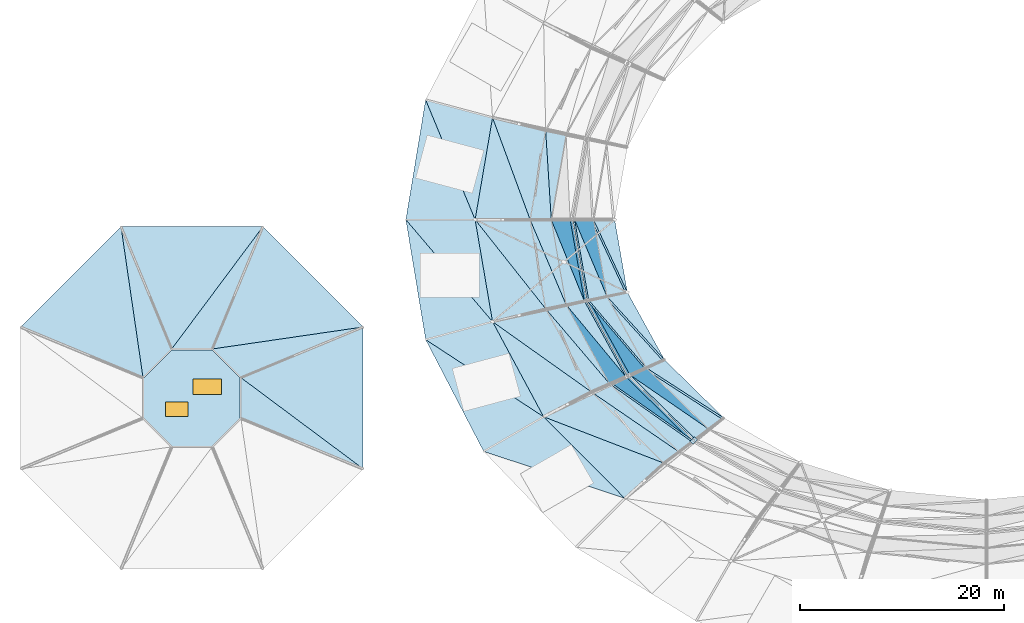
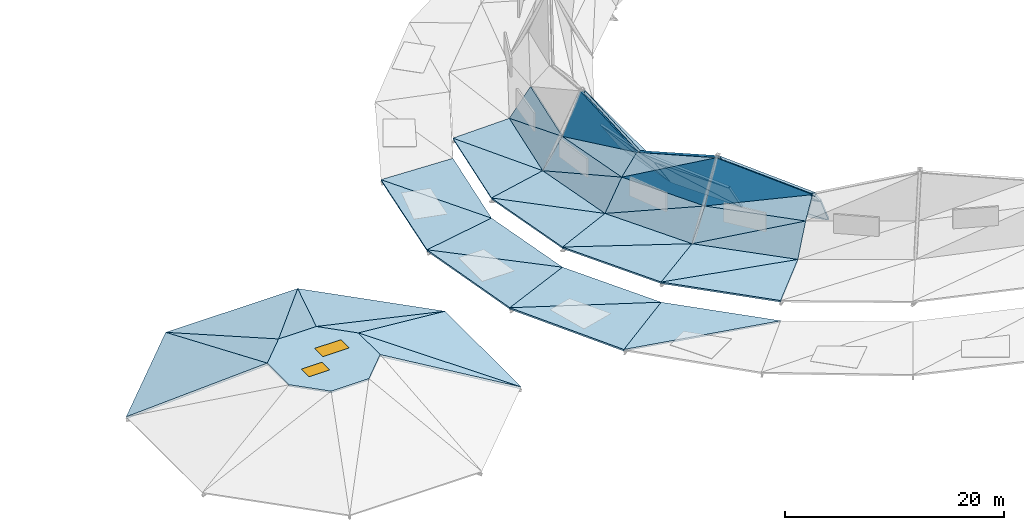
# One storey, part 27 of 36: 50 slabs, 2 windows, 1 plate, 2 openings.
"""IFC4 building model written with IfcOpenShell, lengths in metres."""

from ifc_helpers import new_model, si_unit, direction, frame, origin, origin_2d, place, context, subcontext, project, spatial, polyline, rectangle, outline, extrude, material, layer, layer_set, type_object, element, fill, save


model = new_model("IFC4")

# Units and contexts
model_context = context("Model", 3, precision=1e-05, world=origin(), true_north=direction((0.0, 1.0)))
body_context = subcontext(model_context, "Body", "Model", "MODEL_VIEW")
ifc_project = project(units=[si_unit("LENGTHUNIT", "METRE"), si_unit("AREAUNIT", "SQUARE_METRE"), si_unit("VOLUMEUNIT", "CUBIC_METRE"), si_unit("PLANEANGLEUNIT", "RADIAN"), si_unit("MASSUNIT", "GRAM", prefix="KILO")], contexts=[model_context])

# Site, building, storey
site_placement = place(None, origin())
site = spatial("IfcSite", under=ifc_project, at=site_placement, CompositionType="ELEMENT")
building_placement = place(site_placement, origin())
building = spatial("IfcBuilding", under=site, at=building_placement, Name="Kildeholm Park Wholesale Market", CompositionType="ELEMENT")
storey_placement = place(building_placement, frame((0.0, 0.0, 17.39990234375)))
storey = spatial("IfcBuildingStorey", under=building, at=storey_placement, Name="Roof", CompositionType="ELEMENT", Elevation=17.39990234375)

# Slabs
ifc_material_1 = material(Name="Concrete C35/45", Category="concrete")
ifc_layer_1 = layer(ifc_material_1, 0.219970703125)
ifc_layer_set_1 = layer_set([ifc_layer_1], Name="Concrete C35/45")
slab_type_1 = type_object("IfcSlabType", Name="Slab S-RF2 220 mm", PredefinedType="ROOF", material=ifc_layer_set_1)
slab_1_placement = place(storey_placement, frame((43.94189453125, 101.27587890625, -7.599853515625), z_axis=(-0.166671949768, 0.027484941918, 0.985629260487), x_axis=(-0.162706979486, -0.98667443406, 0.0)))
element("IfcSlab", 1, at=slab_1_placement, inside=storey, type_object=slab_type_1, Name="Outer white ceramic rim band 1 sector 12A SLB-0145", PredefinedType="ROOF", context=body_context, shape_type="SweptSolid", body=[
    extrude(outline(polyline([(0.0, 0.0), (11.934918449036942, 0.0), (10.828503043857994, 6.807259684794508), (0.0, 0.0)])), origin(), (0.0, 0.0, -1.0), 0.219970703125),
])
slab_2_placement = place(storey_placement, frame((43.94189453125, 101.27587890625, -7.599853515625), z_axis=(-0.165025307564, 0.028189376381, 0.985886406703), x_axis=(0.379827095461, -0.920678432207, 0.089903292609)))
element("IfcSlab", 2, at=slab_2_placement, inside=storey, type_object=slab_type_1, Name="Outer white ceramic rim band 1 sector 12B SLB-0146", PredefinedType="ROOF", context=body_context, shape_type="SweptSolid", body=[
    extrude(outline(polyline([(0.0, 0.0), (12.790436372034792, -7.216449660063518e-16), (4.218677320585707, 5.4566270859973205), (0.0, 0.0)])), origin(), (0.0, 0.0, -1.0), 0.219970703125),
])
slab_3_placement = place(storey_placement, frame((50.510986328125, 99.51611328125, -4.199951171875), z_axis=(-0.208189191671, 0.035562566549, 0.977441847033), x_axis=(-0.168379597692, -0.985722228156, 0.0)))
element("IfcSlab", 3, at=slab_3_placement, inside=storey, type_object=slab_type_1, Name="Upper white ceramic rim band 2 sector 12A SLB-0147", PredefinedType="ROOF", context=body_context, shape_type="SweptSolid", body=[
    extrude(outline(polyline([(0.0, 0.0), (10.161192468984085, 0.0), (9.251959084766586, 5.445647519862199), (0.0, 0.0)])), origin(), (0.0, 0.0, -1.0), 0.219970703125),
])
slab_4_placement = place(storey_placement, frame((50.510986328125, 99.51611328125, -4.199951171875), z_axis=(-0.206810284342, 0.036101761793, 0.977714768778), x_axis=(0.343618743042, -0.932978329057, 0.107133547219)))
element("IfcSlab", 4, at=slab_4_placement, inside=storey, type_object=slab_type_1, Name="Upper white ceramic rim band 2 sector 12B SLB-0148", PredefinedType="ROOF", context=body_context, shape_type="SweptSolid", body=[
    extrude(outline(polyline([(0.0, 0.0), (10.735633368217092, -6.106226635438361e-16), (3.0986352605393166, 4.531734463478261), (0.0, 0.0)])), origin(), (0.0, 0.0, -1.0), 0.219970703125),
])
slab_5_placement = place(storey_placement, frame((55.72705078125, 98.248046875, -3.0498046875), z_axis=(-0.822403469895, 0.143562561515, 0.550492800712), x_axis=(-0.171964181022, -0.985103202941, 0.0)))
element("IfcSlab", 5, at=slab_5_placement, inside=storey, type_object=slab_type_1, Name="Arched gable roof facet 12-LOA SLB-0149", PredefinedType="ROOF", context=body_context, shape_type="SweptSolid", body=[
    extrude(outline(polyline([(0.0, 0.0), (8.880335429709316, 1.1102230246251565e-16), (8.523518150776168, 3.7131113117509496), (0.0, 0.0)])), origin(), (0.0, 0.0, -1.0), 0.219970703125),
])
slab_6_placement = place(storey_placement, frame((55.72705078125, 98.248046875, -3.0498046875), z_axis=(-0.822403495211, 0.143562547796, 0.55049276647), x_axis=(0.058926637786, -0.940935510318, 0.333418680914)))
element("IfcSlab", 6, at=slab_6_placement, inside=storey, type_object=slab_type_1, Name="Arched gable roof facet 12-LOB SLB-0150", PredefinedType="ROOF", context=body_context, shape_type="SweptSolid", body=[
    extrude(outline(polyline([(0.0, 0.0), (9.297180071401415, -4.440892098500626e-16), (1.53457674077422, 3.3816328889327636), (0.0, 0.0)])), origin(), (0.0, 0.0, -1.0), 0.219970703125),
])
slab_7_placement = place(storey_placement, frame((42.0, 89.5, -7.599853515625), z_axis=(-0.16527314387, -0.027254272636, 0.985871184556), x_axis=(0.162706979486, -0.98667443406, 0.0)))
element("IfcSlab", 7, at=slab_7_placement, inside=storey, type_object=slab_type_1, Name="Outer white ceramic rim band 1 sector 13A SLB-0157", PredefinedType="ROOF", context=body_context, shape_type="SweptSolid", body=[
    extrude(outline(polyline([(0.0, 0.0), (11.934918449036942, 2.220446049250313e-16), (11.267439781145972, 6.864873612731286), (0.0, 0.0)])), origin(), (0.0, 0.0, -1.0), 0.219970703125),
])
slab_8_placement = place(storey_placement, frame((42.0, 89.5, -7.599853515625), z_axis=(-0.166667353474, -0.028469868209, 0.985602079893), x_axis=(0.645064804758, -0.759141409598, 0.087153415863)))
element("IfcSlab", 8, at=slab_8_placement, inside=storey, type_object=slab_type_1, Name="Outer white ceramic rim band 1 sector 13B SLB-0158", PredefinedType="ROOF", context=body_context, shape_type="SweptSolid", body=[
    extrude(outline(polyline([(0.0, 0.0), (13.194002006234692, 2.7755575615628914e-16), (4.486690086824522, 5.237609333449421), (0.0, 0.0)])), origin(), (0.0, 0.0, -1.0), 0.219970703125),
])
slab_9_placement = place(storey_placement, frame((48.800048828125, 89.5, -4.199951171875), z_axis=(-0.206988876477, -0.035357530501, 0.977704173077), x_axis=(0.168379597692, -0.985722228156, 0.0)))
element("IfcSlab", 9, at=slab_9_placement, inside=storey, type_object=slab_type_1, Name="Upper white ceramic rim band 2 sector 13A SLB-0159", PredefinedType="ROOF", context=body_context, shape_type="SweptSolid", body=[
    extrude(outline(polyline([(0.0, 0.0), (10.161192468984085, 0.0), (9.789510059718923, 5.477226479887153), (0.0, 0.0)])), origin(), (0.0, 0.0, -1.0), 0.219970703125),
])
slab_10_placement = place(storey_placement, frame((48.800048828125, 89.5, -4.199951171875), z_axis=(-0.208183354395, -0.036341451265, 0.977414441203), x_axis=(0.61751202142, -0.779850236194, 0.102530544282)))
element("IfcSlab", 10, at=slab_10_placement, inside=storey, type_object=slab_type_1, Name="Upper white ceramic rim band 2 sector 13B SLB-0160", PredefinedType="ROOF", context=body_context, shape_type="SweptSolid", body=[
    extrude(outline(polyline([(0.0, 0.0), (11.217598545201865, -5.551115123125783e-17), (3.452429756806185, 4.308423265172087), (0.0, 0.0)])), origin(), (0.0, 0.0, -1.0), 0.219970703125),
])
slab_11_placement = place(storey_placement, frame((54.199951171875, 89.5, -3.0498046875), z_axis=(-0.822403491991, -0.143562565372, 0.550492766696), x_axis=(0.171964181022, -0.985103202941, 0.0)))
element("IfcSlab", 11, at=slab_11_placement, inside=storey, type_object=slab_type_1, Name="Arched gable roof facet 13-LOA SLB-0161", PredefinedType="ROOF", context=body_context, shape_type="SweptSolid", body=[
    extrude(outline(polyline([(0.0, 0.0), (8.880335429709316, -1.1102230246251565e-16), (8.824015839506544, 3.713111211988724), (0.0, 0.0)])), origin(), (0.0, 0.0, -1.0), 0.219970703125),
])
slab_12_placement = place(storey_placement, frame((54.199951171875, 89.5, -3.0498046875), z_axis=(-0.822403472037, -0.14356254375, 0.550492802145), x_axis=(0.368834159579, -0.871272838416, 0.323797782215)))
element("IfcSlab", 12, at=slab_12_placement, inside=storey, type_object=slab_type_1, Name="Arched gable roof facet 13-LOB SLB-0162", PredefinedType="ROOF", context=body_context, shape_type="SweptSolid", body=[
    extrude(outline(polyline([(0.0, 0.0), (9.573424173641252, -4.440892098500626e-16), (1.7690385651948821, 3.2840549232391565), (0.0, 0.0)])), origin(), (0.0, 0.0, -1.0), 0.219970703125),
])
slab_13_placement = place(storey_placement, frame((56.27490234375, 89.5, 0.050048828125), z_axis=(-0.713825715212, -0.12460870966, 0.689148400404), x_axis=(0.171964159938, -0.985103206622, 0.0)))
element("IfcSlab", 13, at=slab_13_placement, inside=storey, type_object=slab_type_1, Name="Arched gable roof facet 13-UOA SLB-0163", PredefinedType="ROOF", context=body_context, shape_type="SweptSolid", body=[
    extrude(outline(polyline([(0.0, 0.0), (8.467198560573395, -1.1102230246251565e-16), (8.41626215504479, 2.648208295654954), (0.0, 0.0)])), origin(), (0.0, 0.0, -1.0), 0.219970703125),
])
slab_14_placement = place(storey_placement, frame((56.27490234375, 89.5, 0.050048828125), z_axis=(-0.887586127314, -0.271569952327, 0.37207610457), x_axis=(0.367799306785, -0.904113342605, 0.21749191629)))
element("IfcSlab", 14, at=slab_14_placement, inside=storey, type_object=slab_type_1, Name="Arched gable roof facet 13-UOB SLB-0164", PredefinedType="ROOF", context=body_context, shape_type="SweptSolid", body=[
    extrude(outline(polyline([(0.0, 0.0), (8.823064991238299, 2.220446049250313e-16), (1.6446728798146282, 4.507445040057246), (0.0, 0.0)])), origin(), (0.0, 0.0, -1.0), 0.219970703125),
])
slab_15_placement = place(storey_placement, frame((58.570068359375, 89.5, 4.47509765625), z_axis=(0.736923773726, -0.083994905801, 0.670737062877), x_axis=(0.164661849727, -0.940056245621, -0.298631428877)))
element("IfcSlab", 15, at=slab_15_placement, inside=storey, type_object=slab_type_1, Name="Arched gable roof facet 13-UIA SLB-0165", PredefinedType="ROOF", context=body_context, shape_type="SweptSolid", body=[
    extrude(outline(polyline([(0.0, 0.0), (8.391961706941895, 0.0), (8.917255299751853, 2.595414230313864), (0.0, 0.0)])), origin(), (0.0, 0.0, -1.0), 0.219970703125),
])
slab_16_placement = place(storey_placement, frame((58.570068359375, 89.5, 4.47509765625), z_axis=(0.910497410658, 0.15910515391, 0.381680514548), x_axis=(0.341318556742, -0.810237257849, -0.476463250227)))
element("IfcSlab", 16, at=slab_16_placement, inside=storey, type_object=slab_type_1, Name="Arched gable roof facet 13-UIB SLB-0166", PredefinedType="ROOF", context=body_context, shape_type="SweptSolid", body=[
    extrude(outline(polyline([(0.0, 0.0), (9.28728254700309, -4.440892098500626e-16), (2.741512403441939, 3.937781026480321), (0.0, 0.0)])), origin(), (0.0, 0.0, -1.0), 0.219970703125),
])
slab_17_placement = place(storey_placement, frame((60.425048828125, 89.5, 0.050048828125), z_axis=(0.833860831999, 0.145713271077, 0.532394360873), x_axis=(0.172136895087, -0.985073037571, 0.0)))
element("IfcSlab", 17, at=slab_17_placement, inside=storey, type_object=slab_type_1, Name="Arched gable roof facet 13-LIA SLB-0167", PredefinedType="ROOF", context=body_context, shape_type="SweptSolid", body=[
    extrude(outline(polyline([(0.0, 0.0), (7.638928340077879, -2.220446049250313e-16), (7.582967129442969, 3.839354541248903), (0.0, 0.0)])), origin(), (0.0, 0.0, -1.0), 0.219970703125),
])
slab_18_placement = place(storey_placement, frame((60.425048828125, 89.5, 0.050048828125), z_axis=(0.833868142497, 0.145723141349, 0.532380209065), x_axis=(0.390474192702, -0.837448513185, -0.382374021866)))
element("IfcSlab", 18, at=slab_18_placement, inside=storey, type_object=slab_type_1, Name="Arched gable roof facet 13-LIB SLB-0168", PredefinedType="ROOF", context=body_context, shape_type="SweptSolid", body=[
    extrude(outline(polyline([(0.0, 0.0), (8.499531385883644, 0.0), (2.0529304548001828, 3.263954490096232), (0.0, 0.0)])), origin(), (0.0, 0.0, -1.0), 0.219970703125),
])
slab_19_placement = place(storey_placement, frame((43.94189453125, 77.72412109375, -7.599853515625), z_axis=(-0.148141549145, -0.076878707829, 0.98597350152), x_axis=(0.460622041592, -0.887596380569, 0.0)))
element("IfcSlab", 19, at=slab_19_placement, inside=storey, type_object=slab_type_1, Name="Outer white ceramic rim band 1 sector 14A SLB-0169", PredefinedType="ROOF", context=body_context, shape_type="SweptSolid", body=[
    extrude(outline(polyline([(0.0, 0.0), (12.36386417744238, 0.0), (12.058687680719101, 6.889688707926563), (0.0, 0.0)])), origin(), (0.0, 0.0, -1.0), 0.219970703125),
])
slab_20_placement = place(storey_placement, frame((43.94189453125, 77.72412109375, -7.599853515625), z_axis=(-0.150765337382, -0.081002060974, 0.985245390328), x_axis=(0.834093305664, -0.545374108812, 0.082797577763)))
element("IfcSlab", 20, at=slab_20_placement, inside=storey, type_object=slab_type_1, Name="Outer white ceramic rim band 1 sector 14B SLB-0170", PredefinedType="ROOF", context=body_context, shape_type="SweptSolid", body=[
    extrude(outline(polyline([(0.0, 0.0), (13.888115749562916, 1.1379786002407855e-15), (4.614714011340161, 5.126054241266337), (0.0, 0.0)])), origin(), (0.0, 0.0, -1.0), 0.219970703125),
])
slab_21_placement = place(storey_placement, frame((50.510986328125, 79.48388671875, -4.199951171875), z_axis=(-0.187533000933, -0.100756313354, 0.977077038355), x_axis=(0.473287580572, -0.880907978211, 0.0)))
element("IfcSlab", 21, at=slab_21_placement, inside=storey, type_object=slab_type_1, Name="Upper white ceramic rim band 2 sector 14A SLB-0171", PredefinedType="ROOF", context=body_context, shape_type="SweptSolid", body=[
    extrude(outline(polyline([(0.0, 0.0), (10.595867679566283, 0.0), (10.65057582443242, 5.402639584274721), (0.0, 0.0)])), origin(), (0.0, 0.0, -1.0), 0.219970703125),
])
slab_22_placement = place(storey_placement, frame((50.510986328125, 79.48388671875, -4.199951171875), z_axis=(-0.189918860125, -0.104253452747, 0.976248966278), x_axis=(0.811464841113, -0.576411111504, 0.096307020368)))
element("IfcSlab", 22, at=slab_22_placement, inside=storey, type_object=slab_type_1, Name="Upper white ceramic rim band 2 sector 14B SLB-0172", PredefinedType="ROOF", context=body_context, shape_type="SweptSolid", body=[
    extrude(outline(polyline([(0.0, 0.0), (11.942498895522512, 3.608224830031759e-16), (3.6124925269011197, 4.1337701276701075), (0.0, 0.0)])), origin(), (0.0, 0.0, -1.0), 0.219970703125),
])
slab_23_placement = place(storey_placement, frame((55.72705078125, 80.751953125, -3.0498046875), z_axis=(-0.741572301252, -0.407076331526, 0.533253581635), x_axis=(0.481203038707, -0.876609169208, 0.0)))
element("IfcSlab", 23, at=slab_23_placement, inside=storey, type_object=slab_type_1, Name="Arched gable roof facet 14-LOA SLB-0173", PredefinedType="ROOF", context=body_context, shape_type="SweptSolid", body=[
    extrude(outline(polyline([(0.0, 0.0), (9.299304359450266, 0.0), (9.474310271452685, 3.664322427375304), (0.0, 0.0)])), origin(), (0.0, 0.0, -1.0), 0.219970703125),
])
slab_24_placement = place(storey_placement, frame((55.72705078125, 80.751953125, -3.0498046875), z_axis=(-0.741678401193, -0.407301055778, 0.532934329131), x_axis=(0.61742717677, -0.725026299791, 0.305156592583)))
element("IfcSlab", 24, at=slab_24_placement, inside=storey, type_object=slab_type_1, Name="Arched gable roof facet 14-LOB SLB-0174", PredefinedType="ROOF", context=body_context, shape_type="SweptSolid", body=[
    extrude(outline(polyline([(0.0, 0.0), (10.158238723889072, -4.440892098500626e-16), (1.88813395537198, 3.1977049481477087), (0.0, 0.0)])), origin(), (0.0, 0.0, -1.0), 0.219970703125),
])
slab_25_placement = place(storey_placement, frame((57.73095703125, 81.158935546875, 0.050048828125), z_axis=(-0.815245958771, -0.447701509431, 0.36733824353), x_axis=(0.481354223541, -0.87652616132, 0.0)))
element("IfcSlab", 25, at=slab_25_placement, inside=storey, type_object=slab_type_1, Name="Arched gable roof facet 14-UOA SLB-0175", PredefinedType="ROOF", context=body_context, shape_type="SweptSolid", body=[
    extrude(outline(polyline([(0.0, 0.0), (8.866789149272552, -2.220446049250313e-16), (9.021479592334513, 4.725383250547976), (0.0, 0.0)])), origin(), (0.0, 0.0, -1.0), 0.219970703125),
])
slab_26_placement = place(storey_placement, frame((57.73095703125, 81.158935546875, 0.050048828125), z_axis=(-0.707112353238, -0.157998232282, 0.689223242857), x_axis=(0.575799629285, -0.694416414568, 0.431556056722)))
element("IfcSlab", 26, at=slab_26_placement, inside=storey, type_object=slab_type_1, Name="Arched gable roof facet 14-UOB SLB-0176", PredefinedType="ROOF", context=body_context, shape_type="SweptSolid", body=[
    extrude(outline(polyline([(0.0, 0.0), (10.184121999439492, 0.0), (1.6054969275182156, 2.1066516822468455), (0.0, 0.0)])), origin(), (0.0, 0.0, -1.0), 0.219970703125),
])
slab_27_placement = place(storey_placement, frame((59.951904296875, 81.611083984375, 1.968994140625), z_axis=(0.759743439922, 0.540192723987, 0.361913976583), x_axis=(0.462525121936, -0.840188371056, 0.283114840164)))
element("IfcSlab", 27, at=slab_27_placement, inside=storey, type_object=slab_type_1, Name="Arched gable roof facet 14-UIA SLB-0177", PredefinedType="ROOF", context=body_context, shape_type="SweptSolid", body=[
    extrude(outline(polyline([(0.0, 0.0), (8.745829845295708, 0.0), (7.651609461909472, 4.599549733432193), (0.0, 0.0)])), origin(), (0.0, 0.0, -1.0), 0.219970703125),
])
slab_28_placement = place(storey_placement, frame((59.951904296875, 81.611083984375, 1.968994140625), z_axis=(0.648844886788, 0.356523570897, 0.672228574433), x_axis=(0.631869695958, -0.744674270346, -0.214943989017)))
element("IfcSlab", 28, at=slab_28_placement, inside=storey, type_object=slab_type_1, Name="Arched gable roof facet 14-UIB SLB-0178", PredefinedType="ROOF", context=body_context, shape_type="SweptSolid", body=[
    extrude(outline(polyline([(0.0, 0.0), (8.927652833074252, -1.5543122344752192e-15), (1.271231462348896, 2.3229461798968103), (0.0, 0.0)])), origin(), (0.0, 0.0, -1.0), 0.219970703125),
])
slab_29_placement = place(storey_placement, frame((61.739990234375, 81.97509765625, 0.050048828125), z_axis=(0.751123464895, 0.412723017999, 0.515240963917), x_axis=(0.481564964074, -0.876410397803, 0.0)))
element("IfcSlab", 29, at=slab_29_placement, inside=storey, type_object=slab_type_1, Name="Arched gable roof facet 14-LIA SLB-0179", PredefinedType="ROOF", context=body_context, shape_type="SweptSolid", body=[
    extrude(outline(polyline([(0.0, 0.0), (8.001054128100693, 0.0), (8.176535332462484, 3.7920980051620017), (0.0, 0.0)])), origin(), (0.0, 0.0, -1.0), 0.219970703125),
])
slab_30_placement = place(storey_placement, frame((61.739990234375, 81.97509765625, 0.050048828125), z_axis=(0.751213217438, 0.412980607002, 0.51490360281), x_axis=(0.626855409458, -0.690673201554, -0.360586777751)))
element("IfcSlab", 30, at=slab_30_placement, inside=storey, type_object=slab_type_1, Name="Arched gable roof facet 14-LIB SLB-0180", PredefinedType="ROOF", context=body_context, shape_type="SweptSolid", body=[
    extrude(outline(polyline([(0.0, 0.0), (9.013087003006294, -4.440892098500626e-16), (2.146974648256122, 3.1834375775645114), (0.0, 0.0)])), origin(), (0.0, 0.0, -1.0), 0.219970703125),
])
slab_31_placement = place(storey_placement, frame((49.636962890625, 66.75, -7.599853515625), z_axis=(-0.122153016428, -0.121576278862, 0.985036978491), x_axis=(0.945903114394, -0.314823603687, 0.078443589555)))
element("IfcSlab", 31, at=slab_31_placement, inside=storey, type_object=slab_type_1, Name="Outer white ceramic rim band 1 sector 15B SLB-0182", PredefinedType="ROOF", context=body_context, shape_type="SweptSolid", body=[
    extrude(outline(polyline([(0.0, 0.0), (14.658971501288155, -3.0531133177191805e-16), (4.59017695902169, 5.146962081767215), (0.0, 0.0)])), origin(), (0.0, 0.0, -1.0), 0.219970703125),
])
slab_32_placement = place(storey_placement, frame((55.52587890625, 70.14990234375, -4.199951171875), z_axis=(-0.154449000774, -0.153719779807, 0.975969126282), x_axis=(0.705431576708, -0.708778026313, 0.0)))
element("IfcSlab", 32, at=slab_32_placement, inside=storey, type_object=slab_type_1, Name="Upper white ceramic rim band 2 sector 15A SLB-0183", PredefinedType="ROOF", context=body_context, shape_type="SweptSolid", body=[
    extrude(outline(polyline([(0.0, 0.0), (11.308043252726108, 0.0), (11.546173044470306, 5.278108314587524), (0.0, 0.0)])), origin(), (0.0, 0.0, -1.0), 0.219970703125),
])
slab_33_placement = place(storey_placement, frame((55.52587890625, 70.14990234375, -4.199951171875), z_axis=(-0.15640583091, -0.159089692127, 0.974796227894), x_axis=(0.92916852284, -0.358382858862, 0.090595709814)))
element("IfcSlab", 33, at=slab_33_placement, inside=storey, type_object=slab_type_1, Name="Upper white ceramic rim band 2 sector 15B SLB-0184", PredefinedType="ROOF", context=body_context, shape_type="SweptSolid", body=[
    extrude(outline(polyline([(0.0, 0.0), (12.695374722841807, 8.326672684688674e-16), (3.570905941247749, 4.054644030916692), (0.0, 0.0)])), origin(), (0.0, 0.0, -1.0), 0.219970703125),
])
slab_34_placement = place(storey_placement, frame((60.201904296875, 72.60009765625, -3.0498046875), z_axis=(-0.604261591817, -0.614630477949, 0.50704763507), x_axis=(0.713096204455, -0.701066190307, 0.0)))
element("IfcSlab", 34, at=slab_34_placement, inside=storey, type_object=slab_type_1, Name="Arched gable roof facet 15-LOA SLB-0185", PredefinedType="ROOF", context=body_context, shape_type="SweptSolid", body=[
    extrude(outline(polyline([(0.0, 0.0), (9.984791873831568, 4.440892098500626e-16), (10.25063231597354, 3.596459752098284), (0.0, 0.0)])), origin(), (0.0, 0.0, -1.0), 0.219970703125),
])
slab_35_placement = place(storey_placement, frame((60.201904296875, 72.60009765625, -3.0498046875), z_axis=(-0.604331186978, -0.615032792953, 0.506476534538), x_axis=(0.790568438229, -0.541826036253, 0.285352572994)))
element("IfcSlab", 35, at=slab_35_placement, inside=storey, type_object=slab_type_1, Name="Arched gable roof facet 15-LOB SLB-0186", PredefinedType="ROOF", context=body_context, shape_type="SweptSolid", body=[
    extrude(outline(polyline([(0.0, 0.0), (10.863240107156974, 8.881784197001252e-16), (1.8789527778962205, 3.150781233192414), (0.0, 0.0)])), origin(), (0.0, 0.0, -1.0), 0.219970703125),
])
slab_36_placement = place(storey_placement, frame((61.9990234375, 73.386962890625, 0.050048828125), z_axis=(-0.534563797385, -0.544029949805, 0.646740257167), x_axis=(0.713285151676, -0.700873949008, 0.0)))
element("IfcSlab", 36, at=slab_36_placement, inside=storey, type_object=slab_type_1, Name="Arched gable roof facet 15-UOA SLB-0187", PredefinedType="ROOF", context=body_context, shape_type="SweptSolid", body=[
    extrude(outline(polyline([(0.0, 0.0), (9.52075843586806, -4.440892098500626e-16), (9.754790050993831, 2.4820254090789966), (0.0, 0.0)])), origin(), (0.0, 0.0, -1.0), 0.219970703125),
])
slab_37_placement = place(storey_placement, frame((61.9990234375, 73.386962890625, 0.050048828125), z_axis=(-0.593824120531, -0.732754112899, 0.332331647461), x_axis=(0.803032585481, -0.565479693667, 0.188072812245)))
element("IfcSlab", 37, at=slab_37_placement, inside=storey, type_object=slab_type_1, Name="Arched gable roof facet 15-UOB SLB-0188", PredefinedType="ROOF", context=body_context, shape_type="SweptSolid", body=[
    extrude(outline(polyline([(0.0, 0.0), (10.065603760842269, 4.440892098500626e-16), (1.7123731678691938, 4.406921162409841), (0.0, 0.0)])), origin(), (0.0, 0.0, -1.0), 0.219970703125),
])
slab_38_placement = place(storey_placement, frame((63.9970703125, 74.262939453125, 4.445068359375), z_axis=(0.645905319156, 0.401811894131, 0.649117493541), x_axis=(0.688375568366, -0.67416771811, -0.267650826142)))
element("IfcSlab", 38, at=slab_38_placement, inside=storey, type_object=slab_type_1, Name="Arched gable roof facet 15-UIA SLB-0189", PredefinedType="ROOF", context=body_context, shape_type="SweptSolid", body=[
    extrude(outline(polyline([(0.0, 0.0), (9.34782515364055, 0.0), (10.082720294728745, 2.382389761345119), (0.0, 0.0)])), origin(), (0.0, 0.0, -1.0), 0.219970703125),
])
slab_39_placement = place(storey_placement, frame((63.9970703125, 74.262939453125, 4.445068359375), z_axis=(0.657546507773, 0.669571220894, 0.345408410822), x_axis=(0.745828509274, -0.513596599041, -0.424215002337)))
element("IfcSlab", 39, at=slab_39_placement, inside=storey, type_object=slab_type_1, Name="Arched gable roof facet 15-UIB SLB-0190", PredefinedType="ROOF", context=body_context, shape_type="SweptSolid", body=[
    extrude(outline(polyline([(0.0, 0.0), (10.360358561203224, 0.0), (2.6952436493512173, 3.884435308814655), (0.0, 0.0)])), origin(), (0.0, 0.0, -1.0), 0.219970703125),
])
slab_40_placement = place(storey_placement, frame((65.593017578125, 74.962890625, 0.050048828125), z_axis=(0.611189213143, 0.622366179128, 0.488986794111), x_axis=(0.713484428473, -0.700671085693, 0.0)))
element("IfcSlab", 40, at=slab_40_placement, inside=storey, type_object=slab_type_1, Name="Arched gable roof facet 15-LIA SLB-0191", PredefinedType="ROOF", context=body_context, shape_type="SweptSolid", body=[
    extrude(outline(polyline([(0.0, 0.0), (8.593184757717129, 0.0), (8.859848567920526, 3.7258200562672688), (0.0, 0.0)])), origin(), (0.0, 0.0, -1.0), 0.219970703125),
])
slab_41_placement = place(storey_placement, frame((65.593017578125, 74.962890625, 0.050048828125), z_axis=(0.611202955648, 0.622574417163, 0.488704452712), x_axis=(0.790510760348, -0.510640333385, -0.33814078088)))
element("IfcSlab", 41, at=slab_41_placement, inside=storey, type_object=slab_type_1, Name="Arched gable roof facet 15-LIB SLB-0192", PredefinedType="ROOF", context=body_context, shape_type="SweptSolid", body=[
    extrude(outline(polyline([(0.0, 0.0), (9.611381364724158, 4.440892098500626e-16), (2.117476766699013, 3.1507289753845518), (0.0, 0.0)])), origin(), (0.0, 0.0, -1.0), 0.219970703125),
])
slab_42_placement = place(storey_placement, frame((37.81494140625, 78.965087890625, -6.599853515625), z_axis=(0.26240826142, 0.26240826142, 0.92859238026), x_axis=(-0.707106781187, 0.707106781187, 0.0)))
element("IfcSlab", 42, at=slab_42_placement, inside=storey, type_object=slab_type_1, Name="Auction pavilion hipped roof facet 1A SLB-0323", PredefinedType="ROOF", context=body_context, shape_type="SweptSolid", body=[
    extrude(outline(polyline([(0.0, 0.0), (13.929796429185187, 0.0), (8.954671837628762, 12.93460449006867), (0.0, 0.0)])), origin(), (0.0, 0.0, -1.0), 0.219970703125),
])
slab_43_placement = place(storey_placement, frame((37.81494140625, 78.965087890625, -6.599853515625), z_axis=(0.26240826142, 0.26240826142, 0.92859238026), x_axis=(-0.942354524477, -0.137373355247, 0.305117209389)))
element("IfcSlab", 43, at=slab_43_placement, inside=storey, type_object=slab_type_1, Name="Auction pavilion hipped roof facet 1B SLB-0324", PredefinedType="ROOF", context=body_context, shape_type="SweptSolid", body=[
    extrude(outline(polyline([(0.0, 0.0), (15.731819380927506, -4.440892098500626e-16), (13.466630670833373, 3.271959106007287), (0.0, 0.0)])), origin(), (0.0, 0.0, -1.0), 0.219970703125),
])
slab_44_placement = place(storey_placement, frame((27.965087890625, 88.81494140625, -6.599853515625), z_axis=(0.0, 0.371101024937, 0.928592499049), x_axis=(-1.0, 0.0, 0.0)))
element("IfcSlab", 44, at=slab_44_placement, inside=storey, type_object=slab_type_1, Name="Auction pavilion hipped roof facet 2A SLB-0325", PredefinedType="ROOF", context=body_context, shape_type="SweptSolid", body=[
    extrude(outline(polyline([(0.0, 0.0), (13.93017578125, 0.0), (8.955078125, 12.934614850345946), (0.0, 0.0)])), origin(), (0.0, 0.0, -1.0), 0.219970703125),
])
slab_45_placement = place(storey_placement, frame((27.965087890625, 88.81494140625, -6.599853515625), z_axis=(0.0, 0.371101024937, 0.928592499049), x_axis=(-0.569224793235, -0.763471977992, 0.305112558882)))
element("IfcSlab", 45, at=slab_45_placement, inside=storey, type_object=slab_type_1, Name="Auction pavilion hipped roof facet 2B SLB-0326", PredefinedType="ROOF", context=body_context, shape_type="SweptSolid", body=[
    extrude(outline(polyline([(0.0, 0.0), (15.732059164382878, 6.661338147750939e-16), (13.466555604981, 3.272268044333912), (0.0, 0.0)])), origin(), (0.0, 0.0, -1.0), 0.219970703125),
])
slab_46_placement = place(storey_placement, frame((14.034912109375, 88.81494140625, -6.599853515625), z_axis=(-0.26240826142, 0.26240826142, 0.92859238026), x_axis=(-0.707106781187, -0.707106781187, 0.0)))
element("IfcSlab", 46, at=slab_46_placement, inside=storey, type_object=slab_type_1, Name="Auction pavilion hipped roof facet 3A SLB-0327", PredefinedType="ROOF", context=body_context, shape_type="SweptSolid", body=[
    extrude(outline(polyline([(0.0, 0.0), (13.929796429185187, 0.0), (8.954671837628762, 12.93460449006867), (0.0, 0.0)])), origin(), (0.0, 0.0, -1.0), 0.219970703125),
])
slab_47_placement = place(storey_placement, frame((14.034912109375, 88.81494140625, -6.599853515625), z_axis=(-0.26240826142, 0.26240826142, 0.92859238026), x_axis=(0.137373355247, -0.942354524477, 0.305117209389)))
element("IfcSlab", 47, at=slab_47_placement, inside=storey, type_object=slab_type_1, Name="Auction pavilion hipped roof facet 3B SLB-0328", PredefinedType="ROOF", context=body_context, shape_type="SweptSolid", body=[
    extrude(outline(polyline([(0.0, 0.0), (15.731819380927506, -4.440892098500626e-16), (13.466630670833373, 3.271959106007287), (0.0, 0.0)])), origin(), (0.0, 0.0, -1.0), 0.219970703125),
])
slab_48_placement = place(storey_placement, frame((37.81494140625, 65.034912109375, -6.599853515625), z_axis=(0.371101024937, 0.0, 0.928592499049), x_axis=(0.0, 1.0, 0.0)))
element("IfcSlab", 48, at=slab_48_placement, inside=storey, type_object=slab_type_1, Name="Auction pavilion hipped roof facet 8A SLB-0337", PredefinedType="ROOF", context=body_context, shape_type="SweptSolid", body=[
    extrude(outline(polyline([(0.0, 0.0), (13.93017578125, 0.0), (8.955078125, 12.934614850345946), (0.0, 0.0)])), origin(), (0.0, 0.0, -1.0), 0.219970703125),
])
slab_49_placement = place(storey_placement, frame((37.81494140625, 65.034912109375, -6.599853515625), z_axis=(0.371101024937, 0.0, 0.928592499049), x_axis=(-0.763471977992, 0.569224793235, 0.305112558882)))
element("IfcSlab", 49, at=slab_49_placement, inside=storey, type_object=slab_type_1, Name="Auction pavilion hipped roof facet 8B SLB-0338", PredefinedType="ROOF", context=body_context, shape_type="SweptSolid", body=[
    extrude(outline(polyline([(0.0, 0.0), (15.732059164382878, 6.661338147750939e-16), (13.466555604981, 3.272268044333912), (0.0, 0.0)])), origin(), (0.0, 0.0, -1.0), 0.219970703125),
])

# Slab, openings, windows
ifc_layer_2 = layer(ifc_material_1, 0.199951171875)
ifc_layer_set_2 = layer_set([ifc_layer_2], Name="Concrete C35/45")
slab_type_2 = type_object("IfcSlabType", Name="Slab S-RF3 200 mm", PredefinedType="ROOF", material=ifc_layer_set_2)
slab_50_placement = place(storey_placement, frame((0.0, 0.0, -2.0)))
slab_50 = element("IfcSlab", 50, at=slab_50_placement, inside=storey, type_object=slab_type_2, Name="Auction pavilion central lantern roof slab SLB-0341", PredefinedType="ROOF", context=body_context, shape_type="SweptSolid", body=[
    extrude(outline(polyline([(25.803955078125, 73.989990234375), (22.989990234375, 76.803955078125), (19.010009765625, 76.803955078125), (16.196044921875, 73.989990234375), (16.196044921875, 70.010009765625), (19.010009765625, 67.196044921875), (22.989990234375, 67.196044921875), (25.803955078125, 70.010009765625), (25.803955078125, 73.989990234375)])), origin(), (0.0, 0.0, 1.0), 0.2001953125),
])
opening_1_placement = place(slab_50_placement, frame((19.5, 70.89990234375, 0.0)))
opening_1 = element("IfcOpeningElement", 51, at=opening_1_placement, cuts=slab_50, Name="Opening SK-04", PredefinedType="OPENING", context=body_context, shape_type="SweptSolid", body=[
    extrude(rectangle(XDim=2.199951171875, YDim=1.39990234375, at=origin_2d()), frame((0.0, 0.0, -0.010009765625)), (0.0, 0.0, 1.0), 0.22021484375),
])
opening_2_placement = place(slab_50_placement, frame((22.5, 73.10009765625, 0.0)))
opening_2 = element("IfcOpeningElement", 52, at=opening_2_placement, cuts=slab_50, Name="Opening SK-05", PredefinedType="OPENING", context=body_context, shape_type="SweptSolid", body=[
    extrude(rectangle(XDim=2.800048828125, YDim=1.5, at=origin_2d()), frame((0.0, 0.0, -0.010009765625)), (0.0, 0.0, 1.0), 0.22021484375),
])
ifc_material_2 = material(Name="Thermally broken aluminium and triple-glazed low-E glass", Category="aluminium")
window_type_1 = type_object("IfcWindowType", Name="Roof skylight SK-04 2200x1400", PartitioningType="SINGLE_PANEL", PredefinedType="SKYLIGHT", material=ifc_material_2)
window_1_placement = place(opening_1_placement, frame((0.0, 0.0, 0.14013671875)))
window_1 = element("IfcWindow", 53, at=window_1_placement, inside=storey, type_object=window_type_1, Name="Auction lantern skylight 1 WIN-0099", OverallHeight=1.39990234375, OverallWidth=2.199951171875, PartitioningType="SINGLE_PANEL", PredefinedType="SKYLIGHT", context=body_context, shape_type="SweptSolid", body=[
    extrude(rectangle(XDim=2.199951171875, YDim=1.39990234375, at=origin_2d()), origin(), (0.0, 0.0, 1.0), 0.06005859375),
])
fill(opening_1, window_1)
window_type_2 = type_object("IfcWindowType", Name="Roof skylight SK-05 2800x1500", PartitioningType="DOUBLE_PANEL_VERTICAL", PredefinedType="SKYLIGHT", material=ifc_material_2)
window_2_placement = place(opening_2_placement, frame((0.0, 0.0, 0.14013671875)))
window_2 = element("IfcWindow", 54, at=window_2_placement, inside=storey, type_object=window_type_2, Name="Auction lantern skylight 2 WIN-0100", OverallHeight=1.5, OverallWidth=2.800048828125, PartitioningType="SINGLE_PANEL", PredefinedType="SKYLIGHT", context=body_context, shape_type="SweptSolid", body=[
    extrude(rectangle(XDim=2.800048828125, YDim=1.5, at=origin_2d()), origin(), (0.0, 0.0, 1.0), 0.06005859375),
])
fill(opening_2, window_2)

# Plate
ifc_material_3 = material(Name="Steel S355", Category="steel")
ifc_layer_3 = layer(ifc_material_3, 0.033935546875)
ifc_layer_set_3 = layer_set([ifc_layer_3], Name="Steel S355")
plate_type = type_object("IfcPlateType", Name="Steel connection plate GP-04 600x420x34", PredefinedType="SHEET", material=ifc_layer_set_3)
plate_placement = place(storey_placement, frame((70.257080078125, 67.827880859375, 1.84326171875), z_axis=(0.0, 0.0, 1.0), x_axis=(-0.707106781187, -0.707106781187, 0.0)))
element("IfcPlate", 55, at=plate_placement, inside=storey, type_object=plate_type, Name="Arch crown gusset plate TR-16 PLT-0084", PredefinedType="SHEET", context=body_context, shape_type="SweptSolid", body=[
    extrude(rectangle(XDim=0.60009765625, YDim=0.419921875, at=origin_2d()), origin(), (0.0, 0.0, 1.0), 0.033935546875),
])

save(model, "model.ifc")
